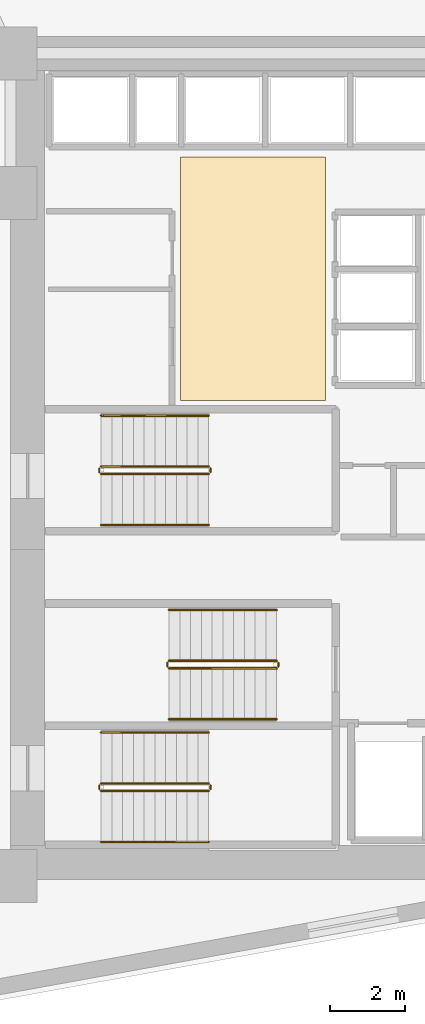
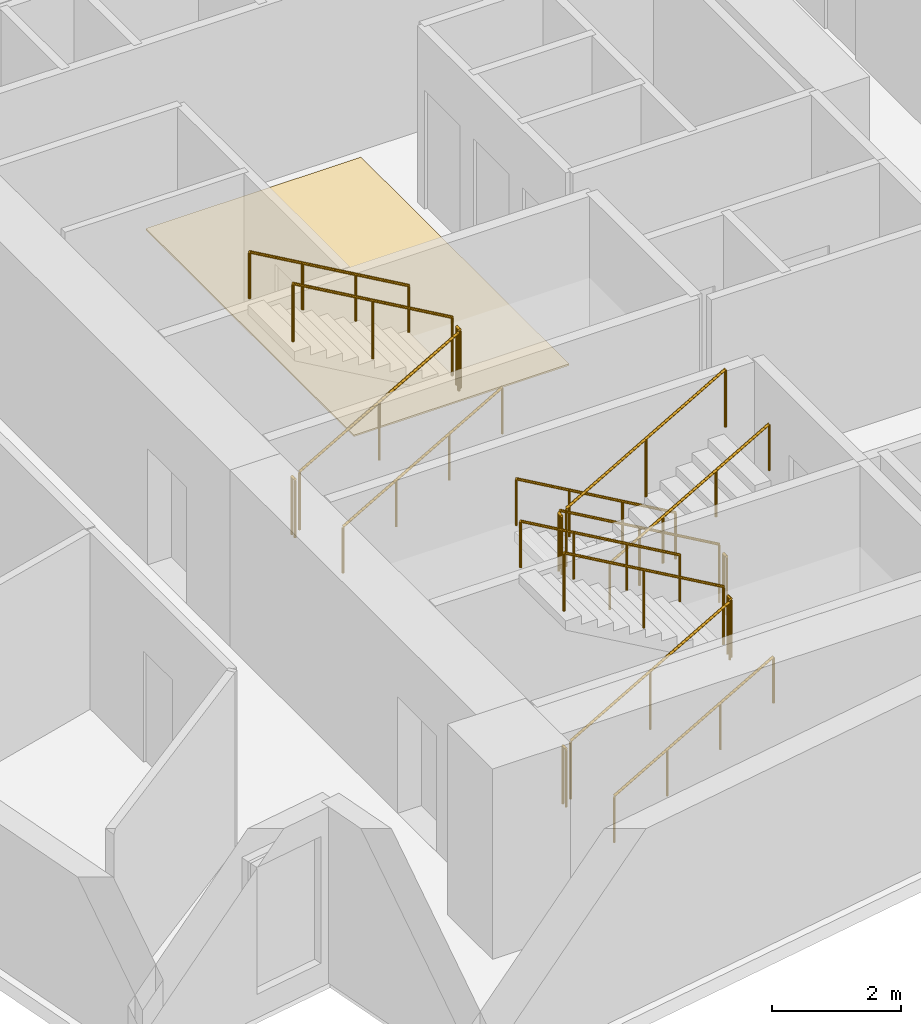
# One storey, part 17 of 18: 18 railings, 1 covering.
"""IFC4 building model written with IfcOpenShell, lengths in metres."""

import ifcopenshell
import ifcopenshell.guid

model = None  # the IFC model being written
_history = None  # IfcOwnerHistory: only IFC2X3 demands one
_inside = {}  # id of a spatial element -> (the spatial element, [elements in it])
_under = {}  # id of a project, library or spatial element -> (it, [spatial elements below it])
_declared = {}  # id of a project -> (the project, [libraries it declares])
_typed = {}  # id of a type object -> (the type object, [elements of that type])
_made_of = {}  # id of a material, layer set ... -> (it, [elements and type objects made of it])


def new_model(schema):
    """Start an empty IFC model of exactly this schema.

    Asked for "IFC4X3", IfcOpenShell would pick the latest addendum, in which some entities
    have other attributes; the version numbers below select the first issue.
    IFC2X3 requires an IfcOwnerHistory on every rooted entity: one is made here for all.
    """
    global model, _history
    if schema == "IFC4X3":
        model = ifcopenshell.file(schema_version=(4, 3, 0, 0))
    else:
        model = ifcopenshell.file(schema=schema)
    _inside.clear()
    _under.clear()
    _declared.clear()
    _typed.clear()
    _made_of.clear()
    _history = None
    if model.schema == "IFC2X3":
        org = make("IfcOrganization", Name="unknown")
        user = make(
            "IfcPersonAndOrganization",
            ThePerson=make("IfcPerson", FamilyName="unknown"),
            TheOrganization=org,
        )
        app = make(
            "IfcApplication",
            ApplicationDeveloper=org,
            Version="unknown",
            ApplicationFullName="unknown",
            ApplicationIdentifier="unknown",
        )
        _history = make(
            "IfcOwnerHistory",
            OwningUser=user,
            OwningApplication=app,
            ChangeAction="ADDED",
            CreationDate=0,
        )
    return model


def make(cls, **values):
    """One entity of the class cls with the attributes given. An attribute that is None is left unset."""
    return model.create_entity(
        cls, **{name: value for name, value in values.items() if value is not None}
    )


def rooted(cls, **values):
    """An entity with a GlobalId (a new one), such as an element, a storey or a relation."""
    return make(cls, GlobalId=ifcopenshell.guid.new(), OwnerHistory=_history, **values)


def si_unit(unit_type, name, prefix=None):
    """IfcSIUnit, for example si_unit("LENGTHUNIT", "METRE", prefix="MILLI")."""
    return make("IfcSIUnit", UnitType=unit_type, Prefix=prefix, Name=name)


def assignment(units):
    """IfcUnitAssignment: the units of a project."""
    return None if units is None else make("IfcUnitAssignment", Units=units)


def point(xyz):
    """IfcCartesianPoint."""
    return None if xyz is None else make("IfcCartesianPoint", Coordinates=xyz)


def direction(xyz):
    """IfcDirection."""
    return None if xyz is None else make("IfcDirection", DirectionRatios=xyz)


def frame(location, z_axis=None, x_axis=None):
    """IfcAxis2Placement3D, a coordinate frame: its origin and axes. An axis left out is left unset."""
    return make(
        "IfcAxis2Placement3D",
        Location=point(location),
        Axis=direction(z_axis),
        RefDirection=direction(x_axis),
    )


def frame_2d(location, x_axis=None):
    """IfcAxis2Placement2D, a coordinate frame in the plane: its origin and x axis."""
    return make(
        "IfcAxis2Placement2D", Location=point(location), RefDirection=direction(x_axis)
    )


def origin():
    """The frame at (0, 0, 0) with its axes left unset."""
    return frame((0.0, 0.0, 0.0))


def origin_2d():
    """The frame at (0, 0) in the plane with its x axis left unset."""
    return frame_2d((0.0, 0.0))


def place(relative_to, where):
    """IfcLocalPlacement: puts the frame where relative to a parent placement (None: the world)."""
    return make(
        "IfcLocalPlacement", PlacementRelTo=relative_to, RelativePlacement=where
    )


def context(
    kind, dimensions, precision=None, world=None, true_north=None, identifier=None
):
    """IfcGeometricRepresentationContext, for example the 3D "Model" context."""
    return make(
        "IfcGeometricRepresentationContext",
        ContextIdentifier=identifier,
        ContextType=kind,
        CoordinateSpaceDimension=dimensions,
        Precision=precision,
        WorldCoordinateSystem=world,
        TrueNorth=true_north,
    )


def subcontext(parent, identifier, kind, view, scale=None):
    """IfcGeometricRepresentationSubContext, for example "Body" below "Model"."""
    return make(
        "IfcGeometricRepresentationSubContext",
        ContextIdentifier=identifier,
        ContextType=kind,
        ParentContext=parent,
        TargetScale=scale,
        TargetView=view,
    )


def project(units=None, contexts=None):
    """IfcProject with its units and contexts."""
    return rooted(
        "IfcProject",
        Name="project",
        RepresentationContexts=contexts,
        UnitsInContext=assignment(units),
    )


def spatial(cls, under=None, at=None, **own):
    """A site, building, storey or space (cls), placed at a placement, below another one or the project."""
    s = rooted(cls, ObjectPlacement=at, **own)
    if under is not None:
        _under.setdefault(under.id(), (under, []))[1].append(s)
    return s


def polyline(points):
    """IfcPolyline through the points."""
    return make("IfcPolyline", Points=[point(p) for p in points])


def profile(cls, at=None, kind="AREA", **sizes):
    """A parametric profile (cls). Its sizes go by their IFC names, for example OverallWidth=200.0."""
    return make(cls, ProfileType=kind, Position=at, **sizes)


def circle(**sizes):
    """IfcCircleProfileDef."""
    return profile("IfcCircleProfileDef", **sizes)


def outline(outer, holes=None, kind="AREA"):
    """IfcArbitraryClosedProfileDef: a profile drawn as a closed curve; with holes, ...WithVoids."""
    if holes is None:
        return make("IfcArbitraryClosedProfileDef", ProfileType=kind, OuterCurve=outer)
    return make(
        "IfcArbitraryProfileDefWithVoids",
        ProfileType=kind,
        OuterCurve=outer,
        InnerCurves=holes,
    )


def extrude(swept, where, along, depth):
    """IfcExtrudedAreaSolid: the profile swept, set in the frame where, extruded along a direction by depth."""
    return make(
        "IfcExtrudedAreaSolid",
        SweptArea=swept,
        Position=where,
        ExtrudedDirection=direction(along),
        Depth=depth,
    )


def shape(context_of_items, identifier, shape_type, items):
    """IfcShapeRepresentation: the items that make up one representation, for example the "Body"."""
    return make(
        "IfcShapeRepresentation",
        ContextOfItems=context_of_items,
        RepresentationIdentifier=identifier,
        RepresentationType=shape_type,
        Items=items,
    )


def material(Name=None, Category=None):
    """IfcMaterial."""
    return make("IfcMaterial", Name=Name, Category=Category)


def layer(
    of_material, thickness, ventilated=None, Name=None, Category=None, Priority=None
):
    """IfcMaterialLayer: one layer of a wall or slab, of a material (None: an air gap)."""
    return make(
        "IfcMaterialLayer",
        Material=of_material,
        LayerThickness=thickness,
        IsVentilated=ventilated,
        Name=Name,
        Category=Category,
        Priority=Priority,
    )


def layer_set(layers, Name=None):
    """IfcMaterialLayerSet."""
    return make("IfcMaterialLayerSet", MaterialLayers=layers, LayerSetName=Name)


def made_of(thing, what):
    """Note that an element or type object is made of a material, layer set ...; save() writes the relation."""
    if what is not None:
        _made_of.setdefault(what.id(), (what, []))[1].append(thing)
    return thing


def type_object(cls, material=None, **own):
    """A type object (cls), such as IfcWallType, which elements share."""
    return made_of(rooted(cls, **own), material)


def element(
    cls,
    number,
    at=None,
    inside=None,
    cuts=None,
    type_object=None,
    material=None,
    context=None,
    identifier="Body",
    shape_type=None,
    held_by="IfcProductDefinitionShape",
    body=None,
    shapes=None,
    **own,
):
    """One element of the class cls, such as IfcWall. Its Tag is "e" and its number.

    at: its placement. inside: the storey or other place that contains it. cuts: it is an
    opening in that element (IfcRelVoidsElement). A single representation is given by context,
    identifier, shape_type and body (its items); several are given by shapes. held_by: the class
    of the entity that holds the representations. save() writes the other relations.
    """
    e = rooted(cls, Tag="e%d" % number, ObjectPlacement=at, **own)
    if body is not None:
        shapes = [shape(context, identifier, shape_type, body)]
    if shapes is not None:
        e.Representation = make(held_by, Representations=shapes)
    if inside is not None:
        _inside.setdefault(inside.id(), (inside, []))[1].append(e)
    if cuts is not None:
        rooted(
            "IfcRelVoidsElement", RelatingBuildingElement=cuts, RelatedOpeningElement=e
        )
    if type_object is not None:
        _typed.setdefault(type_object.id(), (type_object, []))[1].append(e)
    return made_of(e, material)


def aggregate(whole, parts):
    """IfcRelAggregates: a whole, such as a stair, and the parts it consists of."""
    return rooted("IfcRelAggregates", RelatingObject=whole, RelatedObjects=parts)


def save(model, path):
    """Write the relations noted so far, then the file.

    IfcRelAggregates (storeys below a building ...), IfcRelContainedInSpatialStructure (elements
    in a storey), IfcRelDefinesByType, IfcRelAssociatesMaterial and IfcRelDeclares: one each for
    every whole, place, type object, material and project.
    """
    for whole, parts in _under.values():
        aggregate(whole, parts)
    for where, things in _inside.values():
        rooted(
            "IfcRelContainedInSpatialStructure",
            RelatedElements=things,
            RelatingStructure=where,
        )
    for kind, things in _typed.values():
        rooted("IfcRelDefinesByType", RelatedObjects=things, RelatingType=kind)
    for what, things in _made_of.values():
        rooted("IfcRelAssociatesMaterial", RelatedObjects=things, RelatingMaterial=what)
    for by, libraries in _declared.values():
        rooted("IfcRelDeclares", RelatingContext=by, RelatedDefinitions=libraries)
    model.write(path)


model = new_model("IFC4")

# Units and contexts
model_context = context("Model", 3, precision=1e-05, world=origin(), true_north=direction((0.0, 1.0)))
body_context = subcontext(model_context, "Body", "Model", "MODEL_VIEW")
ifc_project = project(units=[si_unit("LENGTHUNIT", "METRE"), si_unit("AREAUNIT", "SQUARE_METRE"), si_unit("VOLUMEUNIT", "CUBIC_METRE"), si_unit("PLANEANGLEUNIT", "RADIAN"), si_unit("MASSUNIT", "GRAM", prefix="KILO")], contexts=[model_context])

# Site, building, storey
site_placement = place(None, origin())
site = spatial("IfcSite", under=ifc_project, at=site_placement, CompositionType="ELEMENT")
building_placement = place(site_placement, origin())
building = spatial("IfcBuilding", under=site, at=building_placement, Name="Narakoshi Arena Tower", CompositionType="ELEMENT")
storey_placement = place(building_placement, frame((0.0, 0.0, 106.5)))
storey = spatial("IfcBuildingStorey", under=building, at=storey_placement, Name="L28", CompositionType="ELEMENT", Elevation=106.5)

# Covering
ifc_material_1 = material(Name="Honed granite stone paving", Category="masonry")
ifc_layer = layer(ifc_material_1, 0.030029296875)
ifc_layer_set = layer_set([ifc_layer], Name="Honed granite stone paving")
covering_type = type_object("IfcCoveringType", Name="COV-FLR-ST30", PredefinedType="FLOORING", material=ifc_layer_set)
covering_placement = place(storey_placement, origin())
element("IfcCovering", 1, at=covering_placement, inside=storey, type_object=covering_type, Name="L28 Lift Lobby Granite Flooring", PredefinedType="FLOORING", context=body_context, shape_type="SweptSolid", body=[
    extrude(outline(polyline([(76.5, 47.300048828125), (80.35009765625, 47.300048828125), (80.35009765625, 53.75), (76.5, 53.75), (76.5, 47.300048828125)])), origin(), (0.0, 0.0, 1.0), 0.030029296875),
])

# Railings
ifc_material_2 = material(Name="Clear low-iron laminated structural glass", Category="glass")
railing_type_1 = type_object("IfcRailingType", Name="RL-BAL-1100", PredefinedType="BALUSTRADE", material=ifc_material_2)
railing_1_placement = place(storey_placement, frame((74.39990234375, 36.949951171875, 0.16357421875)))
element("IfcRailing", 2, at=railing_1_placement, inside=storey, type_object=railing_type_1, Name="L28 ST1 stair guard 1", PredefinedType="BALUSTRADE", context=body_context, shape_type="SweptSolid", body=[
    extrude(circle(Radius=0.02392578125, at=origin_2d()), frame((0.0, 0.0, 1.09619140625), z_axis=(0.86721270334, 0.0, 0.497937874806), x_axis=(0.0, 1.0, 0.0)), (0.0, 0.0, 1.0), 3.28662109375),
    extrude(circle(Radius=0.02099609375, at=origin_2d()), origin(), (0.0, 0.0, 1.0), 1.072021484375),
    extrude(circle(Radius=0.02099609375, at=origin_2d()), frame((1.425048828125, 0.0, 0.818359375)), (0.0, 0.0, 1.0), 1.072021484375),
    extrude(circle(Radius=0.02099609375, at=origin_2d()), frame((2.85009765625, 0.0, 1.636474609375)), (0.0, 0.0, 1.0), 1.072021484375),
])
railing_2_placement = place(storey_placement, frame((77.300048828125, 37.0, 1.800048828125)))
element("IfcRailing", 3, at=railing_2_placement, inside=storey, type_object=railing_type_1, Name="L28 ST1 stair guard 2", PredefinedType="BALUSTRADE", context=body_context, shape_type="SweptSolid", body=[
    extrude(circle(Radius=0.02392578125, at=origin_2d()), frame((0.0, 0.0, 1.09619140625), z_axis=(0.0, 1.0, 0.0), x_axis=(-1.0, 0.0, 0.0)), (0.0, 0.0, 1.0), 0.10009765625),
    extrude(circle(Radius=0.02099609375, at=origin_2d()), origin(), (0.0, 0.0, 1.0), 1.072021484375),
    extrude(circle(Radius=0.02099609375, at=origin_2d()), frame((0.0, 0.10009765625, 0.0)), (0.0, 0.0, 1.0), 1.072021484375),
])
railing_3_placement = place(storey_placement, frame((77.25, 37.14990234375, 1.963623046875)))
element("IfcRailing", 4, at=railing_3_placement, inside=storey, type_object=railing_type_1, Name="L28 ST1 stair guard 3", PredefinedType="BALUSTRADE", context=body_context, shape_type="SweptSolid", body=[
    extrude(circle(Radius=0.02392578125, at=origin_2d()), frame((0.0, 0.0, 1.09619140625), z_axis=(-0.86721270334, 0.0, 0.497937874806), x_axis=(0.0, -1.0, 0.0)), (0.0, 0.0, 1.0), 3.28662109375),
    extrude(circle(Radius=0.02099609375, at=origin_2d()), origin(), (0.0, 0.0, 1.0), 1.072021484375),
    extrude(circle(Radius=0.02099609375, at=origin_2d()), frame((-1.425048828125, 0.0, 0.818359375)), (0.0, 0.0, 1.0), 1.072021484375),
    extrude(circle(Radius=0.02099609375, at=origin_2d()), frame((-2.85009765625, 0.0, 1.636474609375)), (0.0, 0.0, 1.0), 1.072021484375),
])
railing_4_placement = place(storey_placement, frame((74.35009765625, 37.0, 0.0)))
element("IfcRailing", 5, at=railing_4_placement, inside=storey, type_object=railing_type_1, Name="L28 ST1 stair guard 4", PredefinedType="BALUSTRADE", context=body_context, shape_type="SweptSolid", body=[
    extrude(circle(Radius=0.02392578125, at=origin_2d()), frame((0.0, 0.0, 1.09619140625), z_axis=(0.0, 1.0, 0.0), x_axis=(-1.0, 0.0, 0.0)), (0.0, 0.0, 1.0), 0.10009765625),
    extrude(circle(Radius=0.02099609375, at=origin_2d()), origin(), (0.0, 0.0, 1.0), 1.072021484375),
    extrude(circle(Radius=0.02099609375, at=origin_2d()), frame((0.0, 0.10009765625, 0.0)), (0.0, 0.0, 1.0), 1.072021484375),
])
railing_5_placement = place(storey_placement, frame((79.050048828125, 40.39990234375, 0.16357421875)))
element("IfcRailing", 6, at=railing_5_placement, inside=storey, type_object=railing_type_1, Name="L28 ST2 stair guard 1", PredefinedType="BALUSTRADE", context=body_context, shape_type="SweptSolid", body=[
    extrude(circle(Radius=0.02392578125, at=origin_2d()), frame((0.0, 0.0, 1.09619140625), z_axis=(-0.86721270334, 0.0, 0.497937874806), x_axis=(0.0, -1.0, 0.0)), (0.0, 0.0, 1.0), 3.28662109375),
    extrude(circle(Radius=0.02099609375, at=origin_2d()), origin(), (0.0, 0.0, 1.0), 1.072021484375),
    extrude(circle(Radius=0.02099609375, at=origin_2d()), frame((-1.425048828125, 0.0, 0.818359375)), (0.0, 0.0, 1.0), 1.072021484375),
    extrude(circle(Radius=0.02099609375, at=origin_2d()), frame((-2.85009765625, 0.0, 1.636474609375)), (0.0, 0.0, 1.0), 1.072021484375),
])
railing_6_placement = place(storey_placement, frame((76.14990234375, 40.35009765625, 1.800048828125)))
element("IfcRailing", 7, at=railing_6_placement, inside=storey, type_object=railing_type_1, Name="L28 ST2 stair guard 2", PredefinedType="BALUSTRADE", context=body_context, shape_type="SweptSolid", body=[
    extrude(circle(Radius=0.02392578125, at=origin_2d()), frame((0.0, 0.0, 1.09619140625), z_axis=(0.0, -1.0, 0.0), x_axis=(1.0, 0.0, 0.0)), (0.0, 0.0, 1.0), 0.10009765625),
    extrude(circle(Radius=0.02099609375, at=origin_2d()), origin(), (0.0, 0.0, 1.0), 1.072021484375),
    extrude(circle(Radius=0.02099609375, at=origin_2d()), frame((0.0, -0.10009765625, 0.0)), (0.0, 0.0, 1.0), 1.072021484375),
])
railing_7_placement = place(storey_placement, frame((76.199951171875, 40.199951171875, 1.963623046875)))
element("IfcRailing", 8, at=railing_7_placement, inside=storey, type_object=railing_type_1, Name="L28 ST2 stair guard 3", PredefinedType="BALUSTRADE", context=body_context, shape_type="SweptSolid", body=[
    extrude(circle(Radius=0.02392578125, at=origin_2d()), frame((0.0, 0.0, 1.09619140625), z_axis=(0.86721270334, 0.0, 0.497937874806), x_axis=(0.0, 1.0, 0.0)), (0.0, 0.0, 1.0), 3.28662109375),
    extrude(circle(Radius=0.02099609375, at=origin_2d()), origin(), (0.0, 0.0, 1.0), 1.072021484375),
    extrude(circle(Radius=0.02099609375, at=origin_2d()), frame((1.425048828125, 0.0, 0.818359375)), (0.0, 0.0, 1.0), 1.072021484375),
    extrude(circle(Radius=0.02099609375, at=origin_2d()), frame((2.85009765625, 0.0, 1.636474609375)), (0.0, 0.0, 1.0), 1.072021484375),
])
railing_8_placement = place(storey_placement, frame((79.10009765625, 40.35009765625, 0.0)))
element("IfcRailing", 9, at=railing_8_placement, inside=storey, type_object=railing_type_1, Name="L28 ST2 stair guard 4", PredefinedType="BALUSTRADE", context=body_context, shape_type="SweptSolid", body=[
    extrude(circle(Radius=0.02392578125, at=origin_2d()), frame((0.0, 0.0, 1.09619140625), z_axis=(0.0, -1.0, 0.0), x_axis=(1.0, 0.0, 0.0)), (0.0, 0.0, 1.0), 0.10009765625),
    extrude(circle(Radius=0.02099609375, at=origin_2d()), origin(), (0.0, 0.0, 1.0), 1.072021484375),
    extrude(circle(Radius=0.02099609375, at=origin_2d()), frame((0.0, -0.10009765625, 0.0)), (0.0, 0.0, 1.0), 1.072021484375),
])
railing_9_placement = place(storey_placement, frame((74.39990234375, 45.35009765625, 0.16357421875)))
element("IfcRailing", 10, at=railing_9_placement, inside=storey, type_object=railing_type_1, Name="L28 ST3 stair guard 1", PredefinedType="BALUSTRADE", context=body_context, shape_type="SweptSolid", body=[
    extrude(circle(Radius=0.02392578125, at=origin_2d()), frame((0.0, 0.0, 1.09619140625), z_axis=(0.86721270334, 0.0, 0.497937874806), x_axis=(0.0, 1.0, 0.0)), (0.0, 0.0, 1.0), 3.28662109375),
    extrude(circle(Radius=0.02099609375, at=origin_2d()), origin(), (0.0, 0.0, 1.0), 1.072021484375),
    extrude(circle(Radius=0.02099609375, at=origin_2d()), frame((1.425048828125, 0.0, 0.818359375)), (0.0, 0.0, 1.0), 1.072021484375),
    extrude(circle(Radius=0.02099609375, at=origin_2d()), frame((2.85009765625, 0.0, 1.636474609375)), (0.0, 0.0, 1.0), 1.072021484375),
])
railing_10_placement = place(storey_placement, frame((77.300048828125, 45.39990234375, 1.800048828125)))
element("IfcRailing", 11, at=railing_10_placement, inside=storey, type_object=railing_type_1, Name="L28 ST3 stair guard 2", PredefinedType="BALUSTRADE", context=body_context, shape_type="SweptSolid", body=[
    extrude(circle(Radius=0.02392578125, at=origin_2d()), frame((0.0, 0.0, 1.09619140625), z_axis=(0.0, 1.0, 0.0), x_axis=(-1.0, 0.0, 0.0)), (0.0, 0.0, 1.0), 0.10009765625),
    extrude(circle(Radius=0.02099609375, at=origin_2d()), origin(), (0.0, 0.0, 1.0), 1.072021484375),
    extrude(circle(Radius=0.02099609375, at=origin_2d()), frame((0.0, 0.10009765625, 0.0)), (0.0, 0.0, 1.0), 1.072021484375),
])
railing_11_placement = place(storey_placement, frame((77.25, 45.550048828125, 1.963623046875)))
element("IfcRailing", 12, at=railing_11_placement, inside=storey, type_object=railing_type_1, Name="L28 ST3 stair guard 3", PredefinedType="BALUSTRADE", context=body_context, shape_type="SweptSolid", body=[
    extrude(circle(Radius=0.02392578125, at=origin_2d()), frame((0.0, 0.0, 1.09619140625), z_axis=(-0.86721270334, 0.0, 0.497937874806), x_axis=(0.0, -1.0, 0.0)), (0.0, 0.0, 1.0), 3.28662109375),
    extrude(circle(Radius=0.02099609375, at=origin_2d()), origin(), (0.0, 0.0, 1.0), 1.072021484375),
    extrude(circle(Radius=0.02099609375, at=origin_2d()), frame((-1.425048828125, 0.0, 0.818359375)), (0.0, 0.0, 1.0), 1.072021484375),
    extrude(circle(Radius=0.02099609375, at=origin_2d()), frame((-2.85009765625, 0.0, 1.636474609375)), (0.0, 0.0, 1.0), 1.072021484375),
])
railing_12_placement = place(storey_placement, frame((74.35009765625, 45.39990234375, 0.0)))
element("IfcRailing", 13, at=railing_12_placement, inside=storey, type_object=railing_type_1, Name="L28 ST3 stair guard 4", PredefinedType="BALUSTRADE", context=body_context, shape_type="SweptSolid", body=[
    extrude(circle(Radius=0.02392578125, at=origin_2d()), frame((0.0, 0.0, 1.09619140625), z_axis=(0.0, 1.0, 0.0), x_axis=(-1.0, 0.0, 0.0)), (0.0, 0.0, 1.0), 0.10009765625),
    extrude(circle(Radius=0.02099609375, at=origin_2d()), origin(), (0.0, 0.0, 1.0), 1.072021484375),
    extrude(circle(Radius=0.02099609375, at=origin_2d()), frame((0.0, 0.10009765625, 0.0)), (0.0, 0.0, 1.0), 1.072021484375),
])
ifc_material_3 = material(Name="Brushed bronze stainless steel", Category="steel")
railing_type_2 = type_object("IfcRailingType", Name="RL-HND-900", PredefinedType="HANDRAIL", material=ifc_material_3)
railing_13_placement = place(storey_placement, frame((74.39990234375, 35.60009765625, 0.16357421875)))
element("IfcRailing", 14, at=railing_13_placement, inside=storey, type_object=railing_type_2, Name="L28 ST1 stair handrail 1", PredefinedType="HANDRAIL", context=body_context, shape_type="SweptSolid", body=[
    extrude(circle(Radius=0.02392578125, at=origin_2d()), frame((0.0, 0.0, 0.8759765625), z_axis=(0.86721270334, 0.0, 0.497937874806), x_axis=(0.0, 1.0, 0.0)), (0.0, 0.0, 1.0), 3.28662109375),
    extrude(circle(Radius=0.02099609375, at=origin_2d()), origin(), (0.0, 0.0, 1.0), 0.851806640625),
    extrude(circle(Radius=0.02099609375, at=origin_2d()), frame((0.949951171875, 0.0, 0.54541015625)), (0.0, 0.0, 1.0), 0.851806640625),
    extrude(circle(Radius=0.02099609375, at=origin_2d()), frame((1.900146484375, 0.0, 1.091064453125)), (0.0, 0.0, 1.0), 0.851806640625),
    extrude(circle(Radius=0.02099609375, at=origin_2d()), frame((2.85009765625, 0.0, 1.636474609375)), (0.0, 0.0, 1.0), 0.851806640625),
])
for number, where, name in (
    (15, (77.25, 38.5, 1.963623046875), "L28 ST1 stair handrail 2"),
    (16, (79.050048828125, 41.75, 0.16357421875), "L28 ST2 stair handrail 1"),
):
    element("IfcRailing", number, at=place(storey_placement, frame(where)), inside=storey, type_object=railing_type_2, Name=name, PredefinedType="HANDRAIL", context=body_context, shape_type="SweptSolid", body=[
        extrude(circle(Radius=0.02392578125, at=origin_2d()), frame((0.0, 0.0, 0.8759765625), z_axis=(-0.86721270334, 0.0, 0.497937874806), x_axis=(0.0, -1.0, 0.0)), (0.0, 0.0, 1.0), 3.28662109375),
        extrude(circle(Radius=0.02099609375, at=origin_2d()), origin(), (0.0, 0.0, 1.0), 0.851806640625),
        extrude(circle(Radius=0.02099609375, at=origin_2d()), frame((-0.949951171875, 0.0, 0.54541015625)), (0.0, 0.0, 1.0), 0.851806640625),
        extrude(circle(Radius=0.02099609375, at=origin_2d()), frame((-1.900146484375, 0.0, 1.091064453125)), (0.0, 0.0, 1.0), 0.851806640625),
        extrude(circle(Radius=0.02099609375, at=origin_2d()), frame((-2.85009765625, 0.0, 1.636474609375)), (0.0, 0.0, 1.0), 0.851806640625),
    ])
for number, where, name in (
    (17, (76.199951171875, 38.85009765625, 1.963623046875), "L28 ST2 stair handrail 2"),
    (18, (74.39990234375, 44.0, 0.16357421875), "L28 ST3 stair handrail 1"),
):
    element("IfcRailing", number, at=place(storey_placement, frame(where)), inside=storey, type_object=railing_type_2, Name=name, PredefinedType="HANDRAIL", context=body_context, shape_type="SweptSolid", body=[
        extrude(circle(Radius=0.02392578125, at=origin_2d()), frame((0.0, 0.0, 0.8759765625), z_axis=(0.86721270334, 0.0, 0.497937874806), x_axis=(0.0, 1.0, 0.0)), (0.0, 0.0, 1.0), 3.28662109375),
        extrude(circle(Radius=0.02099609375, at=origin_2d()), origin(), (0.0, 0.0, 1.0), 0.851806640625),
        extrude(circle(Radius=0.02099609375, at=origin_2d()), frame((0.949951171875, 0.0, 0.54541015625)), (0.0, 0.0, 1.0), 0.851806640625),
        extrude(circle(Radius=0.02099609375, at=origin_2d()), frame((1.900146484375, 0.0, 1.091064453125)), (0.0, 0.0, 1.0), 0.851806640625),
        extrude(circle(Radius=0.02099609375, at=origin_2d()), frame((2.85009765625, 0.0, 1.636474609375)), (0.0, 0.0, 1.0), 0.851806640625),
    ])
railing_14_placement = place(storey_placement, frame((77.25, 46.89990234375, 1.963623046875)))
element("IfcRailing", 19, at=railing_14_placement, inside=storey, type_object=railing_type_2, Name="L28 ST3 stair handrail 2", PredefinedType="HANDRAIL", context=body_context, shape_type="SweptSolid", body=[
    extrude(circle(Radius=0.02392578125, at=origin_2d()), frame((0.0, 0.0, 0.8759765625), z_axis=(-0.86721270334, 0.0, 0.497937874806), x_axis=(0.0, -1.0, 0.0)), (0.0, 0.0, 1.0), 3.28662109375),
    extrude(circle(Radius=0.02099609375, at=origin_2d()), origin(), (0.0, 0.0, 1.0), 0.851806640625),
    extrude(circle(Radius=0.02099609375, at=origin_2d()), frame((-0.949951171875, 0.0, 0.54541015625)), (0.0, 0.0, 1.0), 0.851806640625),
    extrude(circle(Radius=0.02099609375, at=origin_2d()), frame((-1.900146484375, 0.0, 1.091064453125)), (0.0, 0.0, 1.0), 0.851806640625),
    extrude(circle(Radius=0.02099609375, at=origin_2d()), frame((-2.85009765625, 0.0, 1.636474609375)), (0.0, 0.0, 1.0), 0.851806640625),
])

save(model, "model.ifc")
